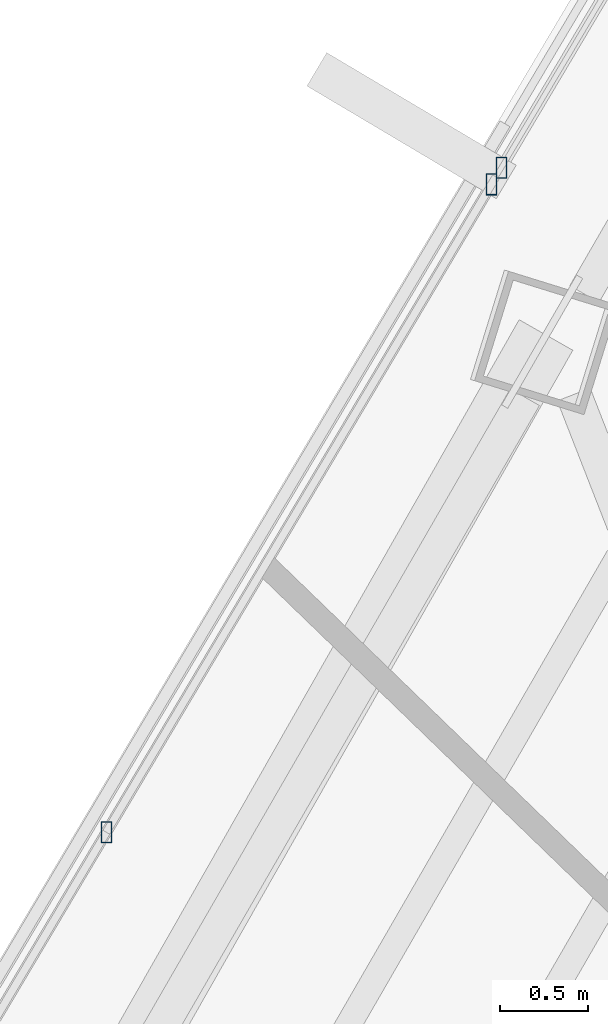
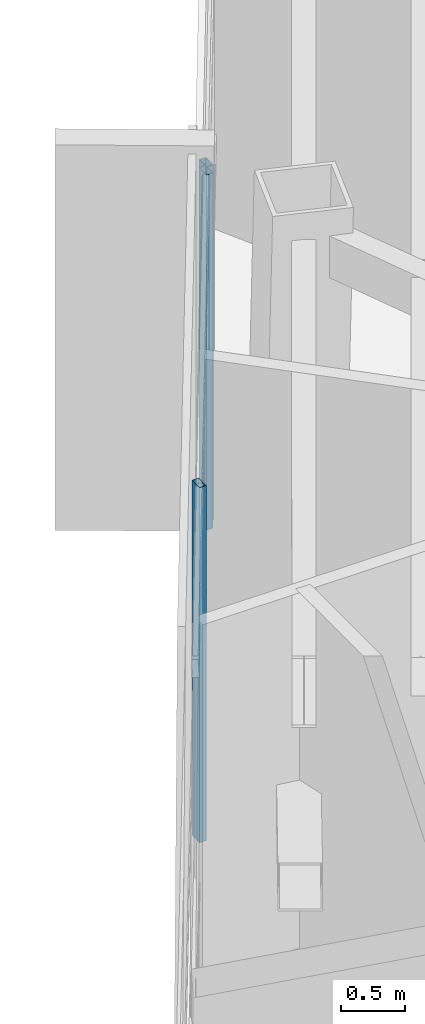
# One storey, part 19 of 46: 3 members, 2 elements without a shape of their own.
"""IFC4 building model written with IfcOpenShell, lengths in metres."""

from ifc_helpers import new_model, si_unit, direction, frame, origin, origin_2d, place, context, subcontext, project, spatial, hollow_rectangle, extrude, source, transform, mapped, material, material_profile, profile_set, type_object, type_shapes, element, aggregate, save


model = new_model("IFC4")

# Units and contexts
model_context = context("Model", 3, precision=1e-05, world=origin(), true_north=direction((0.0, 1.0)))
body_context = subcontext(model_context, "Body", "Model", "MODEL_VIEW")
ifc_project = project(units=[si_unit("LENGTHUNIT", "METRE"), si_unit("AREAUNIT", "SQUARE_METRE"), si_unit("VOLUMEUNIT", "CUBIC_METRE"), si_unit("PLANEANGLEUNIT", "RADIAN"), si_unit("MASSUNIT", "GRAM", prefix="KILO")], contexts=[model_context])

# Site, building, storey
site_placement = place(None, origin())
site = spatial("IfcSite", under=ifc_project, at=site_placement, CompositionType="ELEMENT")
building_placement = place(site_placement, origin())
building = spatial("IfcBuilding", under=site, at=building_placement, Name="Caelisora Broadcast Tower", CompositionType="ELEMENT")
storey_placement = place(building_placement, frame((0.0, 0.0, 237.14990234375)))
storey = spatial("IfcBuildingStorey", under=building, at=storey_placement, Name="L62", CompositionType="ELEMENT", Elevation=237.14990234375)

# Curtain wall, members
ifc_material_1 = material(Name="Unitised Aluminium Insulated Shadow-Box Spandrel Curtain Wall", Category="aluminium")
curtain_wall_type_1 = type_object("IfcCurtainWallType", Name="CW-SP3", PredefinedType="NOTDEFINED", material=ifc_material_1)
curtain_wall_1_placement = place(storey_placement, origin())
curtain_wall_1 = element("IfcCurtainWall", 1, at=curtain_wall_1_placement, inside=storey, type_object=curtain_wall_type_1, Name="L62 curtain wall CW-SP3", PredefinedType="NOTDEFINED")
ifc_material_2 = material(Name="Aluminium 6063-T6 Anodised Terracotta Bronze", Category="aluminium")
ifc_material_profile = material_profile(ifc_material_2, hollow_rectangle(XDim=0.06005859375, YDim=0.1201171875, WallThickness=0.0029296875, at=origin_2d()), Name="Aluminium 6063-T6 Anodised Terracotta Bronze")
ifc_profile_set = profile_set([ifc_material_profile], Name="Aluminium 6063-T6 Anodised Terracotta Bronze")
member_type = type_object("IfcMemberType", Name="CWM-04", PredefinedType="MULLION", material=ifc_profile_set)
shared_shape = source(origin(), body_context, "Body", "SweptSolid", [
    extrude(hollow_rectangle(XDim=0.06005859375, YDim=0.1201171875, WallThickness=0.0029296875, at=origin_2d()), origin(), (0.0, 0.0, 1.0), 3.400146484375),
])
type_shapes(member_type, [shared_shape])
member_1_placement = place(storey_placement, frame((25.404052734375, 33.780517578125, 0.0), z_axis=(0.0, 0.0, 1.0), x_axis=(1.0, 0.0, 0.0)))
member_1 = element("IfcMember", 2, at=member_1_placement, type_object=member_type, Name="L62-CW-B10 mullion #2", PredefinedType="MULLION", context=body_context, shape_type="MappedRepresentation", body=[
    mapped(shared_shape, transform((0.0, 0.0, 0.0), scale=1.0)),
])
member_2_placement = place(storey_placement, frame((27.58837890625, 37.45556640625, 0.0), z_axis=(0.0, 0.0, 1.0), x_axis=(1.0, 0.0, 0.0)))
member_2 = element("IfcMember", 3, at=member_2_placement, type_object=member_type, Name="L62-CW-B10 mullion #3", PredefinedType="MULLION", context=body_context, shape_type="MappedRepresentation", body=[
    mapped(shared_shape, transform((0.0, 0.0, 0.0), scale=1.0)),
])
aggregate(curtain_wall_1, [member_1, member_2])

# Curtain wall, member
ifc_material_3 = material(Name="Unitised Aluminium and Low-E Glass Curtain Wall", Category="glass")
curtain_wall_type_2 = type_object("IfcCurtainWallType", Name="CW-Z5", PredefinedType="NOTDEFINED", material=ifc_material_3)
curtain_wall_2_placement = place(storey_placement, origin())
curtain_wall_2 = element("IfcCurtainWall", 4, at=curtain_wall_2_placement, inside=storey, type_object=curtain_wall_type_2, Name="L62 curtain wall CW-Z5", PredefinedType="NOTDEFINED")
member_3_placement = place(storey_placement, frame((27.64453125, 37.55029296875, 0.0), z_axis=(0.0, 0.0, 1.0), x_axis=(1.0, 0.0, 0.0)))
member_3 = element("IfcMember", 5, at=member_3_placement, type_object=member_type, Name="L62-CW-B11 mullion #0", PredefinedType="MULLION", context=body_context, shape_type="MappedRepresentation", body=[
    mapped(shared_shape, transform((0.0, 0.0, 0.0), scale=1.0)),
])
aggregate(curtain_wall_2, [member_3])

save(model, "model.ifc")
